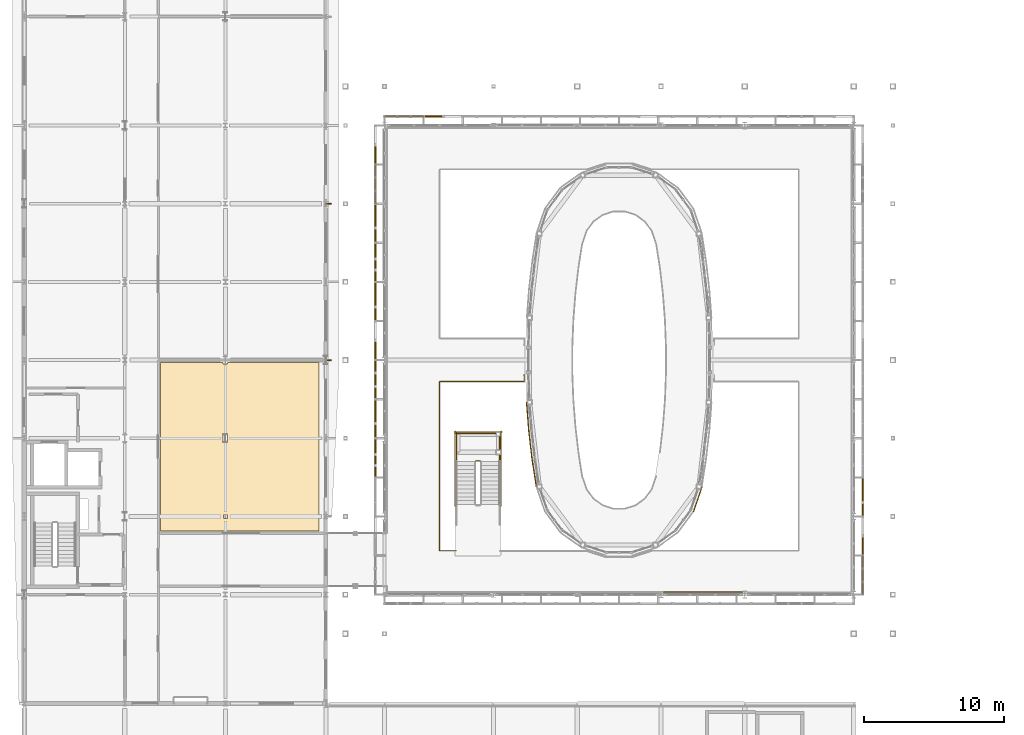
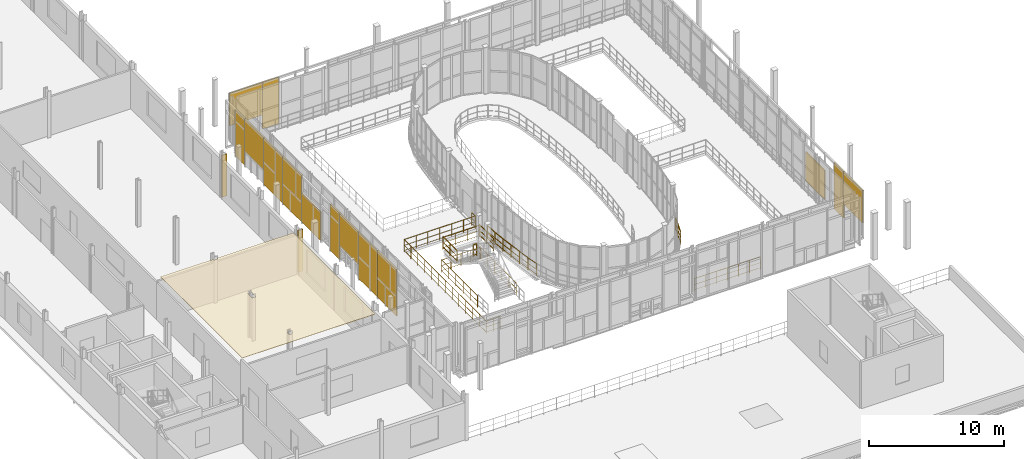
# One storey, part 131 of 138: 16 shading devices, 13 railings, 1 covering.
"""IFC4 building model written with IfcOpenShell, lengths in metres."""

from ifc_helpers import new_model, si_unit, direction, frame, origin, origin_2d, place, context, subcontext, project, spatial, polyline, rectangle, circle, outline, extrude, material, layer, layer_set, type_object, element, save


model = new_model("IFC4")

# Units and contexts
model_context = context("Model", 3, precision=1e-05, world=origin(), true_north=direction((0.0, 1.0)))
body_context = subcontext(model_context, "Body", "Model", "MODEL_VIEW")
ifc_project = project(units=[si_unit("LENGTHUNIT", "METRE"), si_unit("AREAUNIT", "SQUARE_METRE"), si_unit("VOLUMEUNIT", "CUBIC_METRE"), si_unit("PLANEANGLEUNIT", "RADIAN"), si_unit("MASSUNIT", "GRAM", prefix="KILO")], contexts=[model_context])

# Site, building, storey
site_placement = place(None, origin())
site = spatial("IfcSite", under=ifc_project, at=site_placement, CompositionType="ELEMENT")
building_placement = place(site_placement, origin())
building = spatial("IfcBuilding", under=site, at=building_placement, Name="Vinh Khe Railworks Police Headquarters", CompositionType="ELEMENT")
storey_placement = place(building_placement, frame((0.0, 0.0, 9.0)))
storey = spatial("IfcBuildingStorey", under=building, at=storey_placement, Name="L02", CompositionType="ELEMENT", Elevation=9.0)

# Covering
ifc_material_1 = material(Name="Mineral fibre acoustic ceiling tile")
ifc_layer = layer(ifc_material_1, 0.034912109375)
ifc_layer_set = layer_set([ifc_layer], Name="Mineral fibre acoustic ceiling tile")
covering_type = type_object("IfcCoveringType", Name="COV-CEIL-ACOUSTIC", PredefinedType="CEILING", material=ifc_layer_set)
covering_placement = place(storey_placement, frame((0.0, 0.0, 3.89501953125)))
element("IfcCovering", 1, at=covering_placement, inside=storey, type_object=covering_type, Name="Acoustic Ceiling Crisis Press Briefing Room", PredefinedType="CEILING", context=body_context, shape_type="SweptSolid", body=[
    extrude(outline(polyline([(21.68994140625, 29.760009765625), (21.68994140625, 41.840087890625), (15.155029296875, 41.840087890625), (15.155029296875, 41.719970703125), (14.844970703125, 41.719970703125), (14.844970703125, 41.840087890625), (10.360107421875, 41.840087890625), (10.360107421875, 29.760009765625), (21.68994140625, 29.760009765625)]), holes=[polyline([(15.138916015625, 30.64990234375), (14.861083984375, 30.64990234375), (14.861083984375, 30.949951171875), (15.138916015625, 30.949951171875), (15.138916015625, 30.64990234375)]), polyline([(15.155029296875, 36.094970703125), (14.844970703125, 36.094970703125), (14.844970703125, 36.705078125), (15.155029296875, 36.705078125), (15.155029296875, 36.094970703125)])]), origin(), (0.0, 0.0, 1.0), 0.034912109375),
])

# Railings
ifc_material_2 = material(Name="Dark steel and laminated safety glass", Category="steel")
railing_type_1 = type_object("IfcRailingType", Name="RL-ATRIUM-1150", PredefinedType="BALUSTRADE", material=ifc_material_2)
railing_1_placement = place(storey_placement, frame((33.25, 34.780029296875, 2.10009765625)))
element("IfcRailing", 2, at=railing_1_placement, inside=storey, type_object=railing_type_1, Name="L02 ST-08 stair guard 2", PredefinedType="BALUSTRADE", context=body_context, shape_type="SweptSolid", body=[
    extrude(circle(Radius=0.02392578125, at=origin_2d()), frame((0.0, 0.0, 1.076171875), z_axis=(-1.0, 0.0, 0.0), x_axis=(0.0, -1.0, 0.0)), (0.0, 0.0, 1.0), 0.300048828125),
    extrude(circle(Radius=0.01416015625, at=origin_2d()), frame((0.0, 0.0, 0.132080078125), z_axis=(-1.0, 0.0, 0.0), x_axis=(0.0, -1.0, 0.0)), (0.0, 0.0, 1.0), 0.300048828125),
    extrude(circle(Radius=0.01416015625, at=origin_2d()), frame((0.0, 0.0, 0.572021484375), z_axis=(-1.0, 0.0, 0.0), x_axis=(0.0, -1.0, 0.0)), (0.0, 0.0, 1.0), 0.300048828125),
    extrude(circle(Radius=0.02099609375, at=origin_2d()), origin(), (0.0, 0.0, 1.0), 1.052001953125),
    extrude(circle(Radius=0.02099609375, at=origin_2d()), frame((-0.300048828125, 0.0, 0.0)), (0.0, 0.0, 1.0), 1.052001953125),
])
for number, where, name in (
    (3, (34.64990234375, 34.72998046875, 2.10009765625), "L02 ST-08 stair guard 3"),
    (4, (31.550048828125, 34.72998046875, 2.10009765625), "L02 ST-08 stair guard 4"),
):
    element("IfcRailing", number, at=place(storey_placement, frame(where)), inside=storey, type_object=railing_type_1, Name=name, PredefinedType="BALUSTRADE", context=body_context, shape_type="SweptSolid", body=[
        extrude(circle(Radius=0.02392578125, at=origin_2d()), frame((0.0, 0.0, 1.076171875), z_axis=(0.0, 1.0, 0.0), x_axis=(-1.0, 0.0, 0.0)), (0.0, 0.0, 1.0), 2.070068359375),
        extrude(circle(Radius=0.01416015625, at=origin_2d()), frame((0.0, 0.0, 0.132080078125), z_axis=(0.0, 1.0, 0.0), x_axis=(-1.0, 0.0, 0.0)), (0.0, 0.0, 1.0), 2.070068359375),
        extrude(circle(Radius=0.01416015625, at=origin_2d()), frame((0.0, 0.0, 0.572021484375), z_axis=(0.0, 1.0, 0.0), x_axis=(-1.0, 0.0, 0.0)), (0.0, 0.0, 1.0), 2.070068359375),
        extrude(circle(Radius=0.02099609375, at=origin_2d()), origin(), (0.0, 0.0, 1.0), 1.052001953125),
        extrude(circle(Radius=0.02099609375, at=origin_2d()), frame((0.0, 1.03515625, 0.0)), (0.0, 0.0, 1.0), 1.052001953125),
        extrude(circle(Radius=0.02099609375, at=origin_2d()), frame((0.0, 2.070068359375, 0.0)), (0.0, 0.0, 1.0), 1.052001953125),
    ])
railing_2_placement = place(storey_placement, frame((34.699951171875, 36.75, 2.10009765625)))
element("IfcRailing", 5, at=railing_2_placement, inside=storey, type_object=railing_type_1, Name="L02 ST-08 stair guard 5", PredefinedType="BALUSTRADE", context=body_context, shape_type="SweptSolid", body=[
    extrude(circle(Radius=0.02392578125, at=origin_2d()), frame((0.0, 0.0, 1.076171875), z_axis=(-1.0, 0.0, 0.0), x_axis=(0.0, -1.0, 0.0)), (0.0, 0.0, 1.0), 3.199951171875),
    extrude(circle(Radius=0.01416015625, at=origin_2d()), frame((0.0, 0.0, 0.132080078125), z_axis=(-1.0, 0.0, 0.0), x_axis=(0.0, -1.0, 0.0)), (0.0, 0.0, 1.0), 3.199951171875),
    extrude(circle(Radius=0.01416015625, at=origin_2d()), frame((0.0, 0.0, 0.572021484375), z_axis=(-1.0, 0.0, 0.0), x_axis=(0.0, -1.0, 0.0)), (0.0, 0.0, 1.0), 3.199951171875),
    extrude(circle(Radius=0.02099609375, at=origin_2d()), origin(), (0.0, 0.0, 1.0), 1.052001953125),
    extrude(circle(Radius=0.02099609375, at=origin_2d()), frame((-1.066650390625, 0.0, 0.0)), (0.0, 0.0, 1.0), 1.052001953125),
    extrude(circle(Radius=0.02099609375, at=origin_2d()), frame((-2.13330078125, 0.0, 0.0)), (0.0, 0.0, 1.0), 1.052001953125),
    extrude(circle(Radius=0.02099609375, at=origin_2d()), frame((-3.199951171875, 0.0, 0.0)), (0.0, 0.0, 1.0), 1.052001953125),
])
for number, where, name in (
    (6, (34.75, 31.550048828125, 0.0), "L02 ST-08 stair guard 10"),
    (7, (31.449951171875, 31.550048828125, 0.0), "L02 ST-08 stair guard 11"),
):
    element("IfcRailing", number, at=place(storey_placement, frame(where)), inside=storey, type_object=railing_type_1, Name=name, PredefinedType="BALUSTRADE", context=body_context, shape_type="SweptSolid", body=[
        extrude(circle(Radius=0.02392578125, at=origin_2d()), frame((0.0, 0.0, 1.076171875), z_axis=(0.0, 1.0, 0.0), x_axis=(-1.0, 0.0, 0.0)), (0.0, 0.0, 1.0), 5.349853515625),
        extrude(circle(Radius=0.01416015625, at=origin_2d()), frame((0.0, 0.0, 0.132080078125), z_axis=(0.0, 1.0, 0.0), x_axis=(-1.0, 0.0, 0.0)), (0.0, 0.0, 1.0), 5.349853515625),
        extrude(circle(Radius=0.01416015625, at=origin_2d()), frame((0.0, 0.0, 0.572021484375), z_axis=(0.0, 1.0, 0.0), x_axis=(-1.0, 0.0, 0.0)), (0.0, 0.0, 1.0), 5.349853515625),
        extrude(circle(Radius=0.02099609375, at=origin_2d()), origin(), (0.0, 0.0, 1.0), 1.052001953125),
        extrude(circle(Radius=0.02099609375, at=origin_2d()), frame((0.0, 1.070068359375, 0.0)), (0.0, 0.0, 1.0), 1.052001953125),
        extrude(circle(Radius=0.02099609375, at=origin_2d()), frame((0.0, 2.139892578125, 0.0)), (0.0, 0.0, 1.0), 1.052001953125),
        extrude(circle(Radius=0.02099609375, at=origin_2d()), frame((0.0, 3.2099609375, 0.0)), (0.0, 0.0, 1.0), 1.052001953125),
        extrude(circle(Radius=0.02099609375, at=origin_2d()), frame((0.0, 4.27978515625, 0.0)), (0.0, 0.0, 1.0), 1.052001953125),
        extrude(circle(Radius=0.02099609375, at=origin_2d()), frame((0.0, 5.349853515625, 0.0)), (0.0, 0.0, 1.0), 1.052001953125),
    ])
railing_3_placement = place(storey_placement, frame((34.800048828125, 36.85009765625, 0.0)))
element("IfcRailing", 8, at=railing_3_placement, inside=storey, type_object=railing_type_1, Name="L02 ST-08 stair guard 12", PredefinedType="BALUSTRADE", context=body_context, shape_type="SweptSolid", body=[
    extrude(circle(Radius=0.02392578125, at=origin_2d()), frame((0.0, 0.0, 1.076171875), z_axis=(-1.0, 0.0, 0.0), x_axis=(0.0, -1.0, 0.0)), (0.0, 0.0, 1.0), 3.400146484375),
    extrude(circle(Radius=0.01416015625, at=origin_2d()), frame((0.0, 0.0, 0.132080078125), z_axis=(-1.0, 0.0, 0.0), x_axis=(0.0, -1.0, 0.0)), (0.0, 0.0, 1.0), 3.400146484375),
    extrude(circle(Radius=0.01416015625, at=origin_2d()), frame((0.0, 0.0, 0.572021484375), z_axis=(-1.0, 0.0, 0.0), x_axis=(0.0, -1.0, 0.0)), (0.0, 0.0, 1.0), 3.400146484375),
    extrude(circle(Radius=0.02099609375, at=origin_2d()), origin(), (0.0, 0.0, 1.0), 1.052001953125),
    extrude(circle(Radius=0.02099609375, at=origin_2d()), frame((-0.85009765625, 0.0, 0.0)), (0.0, 0.0, 1.0), 1.052001953125),
    extrude(circle(Radius=0.02099609375, at=origin_2d()), frame((-1.7001953125, 0.0, 0.0)), (0.0, 0.0, 1.0), 1.052001953125),
    extrude(circle(Radius=0.02099609375, at=origin_2d()), frame((-2.550048828125, 0.0, 0.0)), (0.0, 0.0, 1.0), 1.052001953125),
    extrude(circle(Radius=0.02099609375, at=origin_2d()), frame((-3.400146484375, 0.0, 0.0)), (0.0, 0.0, 1.0), 1.052001953125),
])
railing_4_placement = place(storey_placement, frame((31.52001953125, 28.340087890625, 0.0)))
element("IfcRailing", 9, at=railing_4_placement, inside=storey, type_object=railing_type_1, Name="Atrium Balustrade GR-V1HOLE-L02-1-02", PredefinedType="BALUSTRADE", context=body_context, shape_type="SweptSolid", body=[
    extrude(circle(Radius=0.02392578125, at=origin_2d()), frame((0.0, 0.0, 1.1259765625), z_axis=(-1.0, 0.0, 0.0), x_axis=(0.0, -1.0, 0.0)), (0.0, 0.0, 1.0), 1.179931640625),
    extrude(circle(Radius=0.01416015625, at=origin_2d()), frame((0.0, 0.0, 0.137939453125), z_axis=(-1.0, 0.0, 0.0), x_axis=(0.0, -1.0, 0.0)), (0.0, 0.0, 1.0), 1.179931640625),
    extrude(circle(Radius=0.01416015625, at=origin_2d()), frame((0.0, 0.0, 0.597900390625), z_axis=(-1.0, 0.0, 0.0), x_axis=(0.0, -1.0, 0.0)), (0.0, 0.0, 1.0), 1.179931640625),
    extrude(circle(Radius=0.02392578125, at=origin_2d()), frame((-1.179931640625, 0.0, 1.1259765625), z_axis=(0.0, 1.0, 0.0), x_axis=(-1.0, 0.0, 0.0)), (0.0, 0.0, 1.0), 12.119873046875),
    extrude(circle(Radius=0.01416015625, at=origin_2d()), frame((-1.179931640625, 0.0, 0.137939453125), z_axis=(0.0, 1.0, 0.0), x_axis=(-1.0, 0.0, 0.0)), (0.0, 0.0, 1.0), 12.119873046875),
    extrude(circle(Radius=0.01416015625, at=origin_2d()), frame((-1.179931640625, 0.0, 0.597900390625), z_axis=(0.0, 1.0, 0.0), x_axis=(-1.0, 0.0, 0.0)), (0.0, 0.0, 1.0), 12.119873046875),
    extrude(circle(Radius=0.02392578125, at=origin_2d()), frame((-1.179931640625, 12.119873046875, 1.1259765625), z_axis=(1.0, 0.0, 0.0), x_axis=(0.0, 1.0, 0.0)), (0.0, 0.0, 1.0), 6.06982421875),
    extrude(circle(Radius=0.01416015625, at=origin_2d()), frame((-1.179931640625, 12.119873046875, 0.137939453125), z_axis=(1.0, 0.0, 0.0), x_axis=(0.0, 1.0, 0.0)), (0.0, 0.0, 1.0), 6.06982421875),
    extrude(circle(Radius=0.01416015625, at=origin_2d()), frame((-1.179931640625, 12.119873046875, 0.597900390625), z_axis=(1.0, 0.0, 0.0), x_axis=(0.0, 1.0, 0.0)), (0.0, 0.0, 1.0), 6.06982421875),
    extrude(circle(Radius=0.02392578125, at=origin_2d()), frame((4.889892578125, 12.119873046875, 1.1259765625), z_axis=(-0.038337515315, 0.999264847235, 0.0), x_axis=(-0.999264847235, -0.038337515315, 0.0)), (0.0, 0.0, 1.0), 0.490234375),
    extrude(circle(Radius=0.01416015625, at=origin_2d()), frame((4.889892578125, 12.119873046875, 0.137939453125), z_axis=(-0.038337515315, 0.999264847235, 0.0), x_axis=(-0.999264847235, -0.038337515315, 0.0)), (0.0, 0.0, 1.0), 0.490234375),
    extrude(circle(Radius=0.01416015625, at=origin_2d()), frame((4.889892578125, 12.119873046875, 0.597900390625), z_axis=(-0.038337515315, 0.999264847235, 0.0), x_axis=(-0.999264847235, -0.038337515315, 0.0)), (0.0, 0.0, 1.0), 0.490234375),
    extrude(circle(Radius=0.02099609375, at=origin_2d()), origin(), (0.0, 0.0, 1.0), 1.101806640625),
    extrude(circle(Radius=0.02099609375, at=origin_2d()), frame((-0.58984375, 0.0, 0.0)), (0.0, 0.0, 1.0), 1.101806640625),
    extrude(circle(Radius=0.02099609375, at=origin_2d()), frame((-1.179931640625, 0.0, 0.0)), (0.0, 0.0, 1.0), 1.101806640625),
    extrude(circle(Radius=0.02099609375, at=origin_2d()), frame((-1.179931640625, 1.010009765625, 0.0)), (0.0, 0.0, 1.0), 1.101806640625),
    extrude(circle(Radius=0.02099609375, at=origin_2d()), frame((-1.179931640625, 2.02001953125, 0.0)), (0.0, 0.0, 1.0), 1.101806640625),
    extrude(circle(Radius=0.02099609375, at=origin_2d()), frame((-1.179931640625, 3.030029296875, 0.0)), (0.0, 0.0, 1.0), 1.101806640625),
    extrude(circle(Radius=0.02099609375, at=origin_2d()), frame((-1.179931640625, 4.0400390625, 0.0)), (0.0, 0.0, 1.0), 1.101806640625),
    extrude(circle(Radius=0.02099609375, at=origin_2d()), frame((-1.179931640625, 5.050048828125, 0.0)), (0.0, 0.0, 1.0), 1.101806640625),
    extrude(circle(Radius=0.02099609375, at=origin_2d()), frame((-1.179931640625, 6.06005859375, 0.0)), (0.0, 0.0, 1.0), 1.101806640625),
    extrude(circle(Radius=0.02099609375, at=origin_2d()), frame((-1.179931640625, 7.06982421875, 0.0)), (0.0, 0.0, 1.0), 1.101806640625),
    extrude(circle(Radius=0.02099609375, at=origin_2d()), frame((-1.179931640625, 8.079833984375, 0.0)), (0.0, 0.0, 1.0), 1.101806640625),
    extrude(circle(Radius=0.02099609375, at=origin_2d()), frame((-1.179931640625, 9.08984375, 0.0)), (0.0, 0.0, 1.0), 1.101806640625),
    extrude(circle(Radius=0.02099609375, at=origin_2d()), frame((-1.179931640625, 10.099853515625, 0.0)), (0.0, 0.0, 1.0), 1.101806640625),
    extrude(circle(Radius=0.02099609375, at=origin_2d()), frame((-1.179931640625, 11.10986328125, 0.0)), (0.0, 0.0, 1.0), 1.101806640625),
    extrude(circle(Radius=0.02099609375, at=origin_2d()), frame((-1.179931640625, 12.119873046875, 0.0)), (0.0, 0.0, 1.0), 1.101806640625),
    extrude(circle(Radius=0.02099609375, at=origin_2d()), frame((-0.168212890625, 12.119873046875, 0.0)), (0.0, 0.0, 1.0), 1.101806640625),
    extrude(circle(Radius=0.02099609375, at=origin_2d()), frame((0.84326171875, 12.119873046875, 0.0)), (0.0, 0.0, 1.0), 1.101806640625),
    extrude(circle(Radius=0.02099609375, at=origin_2d()), frame((1.85498046875, 12.119873046875, 0.0)), (0.0, 0.0, 1.0), 1.101806640625),
    extrude(circle(Radius=0.02099609375, at=origin_2d()), frame((2.86669921875, 12.119873046875, 0.0)), (0.0, 0.0, 1.0), 1.101806640625),
    extrude(circle(Radius=0.02099609375, at=origin_2d()), frame((3.878173828125, 12.119873046875, 0.0)), (0.0, 0.0, 1.0), 1.101806640625),
    extrude(circle(Radius=0.02099609375, at=origin_2d()), frame((4.889892578125, 12.119873046875, 0.0)), (0.0, 0.0, 1.0), 1.101806640625),
    extrude(circle(Radius=0.02099609375, at=origin_2d()), frame((4.87109375, 12.60986328125, 0.0)), (0.0, 0.0, 1.0), 1.101806640625),
])
railing_5_placement = place(storey_placement, frame((46.375, 25.3798828125, 0.0)))
element("IfcRailing", 10, at=railing_5_placement, inside=storey, type_object=railing_type_1, Name="Atrium Balustrade GR-V1PERIM-L02-03", PredefinedType="BALUSTRADE", context=body_context, shape_type="SweptSolid", body=[
    extrude(circle(Radius=0.02392578125, at=origin_2d()), frame((0.0, 0.0, 1.1259765625), z_axis=(1.0, 0.0, 0.0), x_axis=(0.0, 1.0, 0.0)), (0.0, 0.0, 1.0), 5.64990234375),
    extrude(circle(Radius=0.01416015625, at=origin_2d()), frame((0.0, 0.0, 0.137939453125), z_axis=(1.0, 0.0, 0.0), x_axis=(0.0, 1.0, 0.0)), (0.0, 0.0, 1.0), 5.64990234375),
    extrude(circle(Radius=0.01416015625, at=origin_2d()), frame((0.0, 0.0, 0.597900390625), z_axis=(1.0, 0.0, 0.0), x_axis=(0.0, 1.0, 0.0)), (0.0, 0.0, 1.0), 5.64990234375),
    extrude(circle(Radius=0.02099609375, at=origin_2d()), origin(), (0.0, 0.0, 1.0), 1.101806640625),
    extrude(circle(Radius=0.02099609375, at=origin_2d()), frame((0.941650390625, 0.0, 0.0)), (0.0, 0.0, 1.0), 1.101806640625),
    extrude(circle(Radius=0.02099609375, at=origin_2d()), frame((1.88330078125, 0.0, 0.0)), (0.0, 0.0, 1.0), 1.101806640625),
    extrude(circle(Radius=0.02099609375, at=origin_2d()), frame((2.824951171875, 0.0, 0.0)), (0.0, 0.0, 1.0), 1.101806640625),
    extrude(circle(Radius=0.02099609375, at=origin_2d()), frame((3.7666015625, 0.0, 0.0)), (0.0, 0.0, 1.0), 1.101806640625),
    extrude(circle(Radius=0.02099609375, at=origin_2d()), frame((4.708251953125, 0.0, 0.0)), (0.0, 0.0, 1.0), 1.101806640625),
    extrude(circle(Radius=0.02099609375, at=origin_2d()), frame((5.64990234375, 0.0, 0.0)), (0.0, 0.0, 1.0), 1.101806640625),
])
ifc_material_3 = material(Name="Painted tubular steel", Category="steel")
railing_type_2 = type_object("IfcRailingType", Name="RL-GUARD-1100", PredefinedType="GUARDRAIL", material=ifc_material_3)
railing_6_placement = place(storey_placement, frame((36.568115234375, 38.955078125, 0.0)))
element("IfcRailing", 11, at=railing_6_placement, inside=storey, type_object=railing_type_2, Name="Slab Corner Notch Guard L02-73", PredefinedType="GUARDRAIL", context=body_context, shape_type="SweptSolid", body=[
    extrude(circle(Radius=0.02392578125, at=origin_2d()), frame((0.0, 0.0, 1.09619140625), z_axis=(0.076944728121, -0.997035359862, 0.0), x_axis=(0.997035359862, 0.076944728121, 0.0)), (0.0, 0.0, 1.0), 2.03076171875),
    extrude(circle(Radius=0.01416015625, at=origin_2d()), frame((0.0, 0.0, 0.134521484375), z_axis=(0.076944728121, -0.997035359862, 0.0), x_axis=(0.997035359862, 0.076944728121, 0.0)), (0.0, 0.0, 1.0), 2.03076171875),
    extrude(circle(Radius=0.01416015625, at=origin_2d()), frame((0.0, 0.0, 0.58251953125), z_axis=(0.076944728121, -0.997035359862, 0.0), x_axis=(0.997035359862, 0.076944728121, 0.0)), (0.0, 0.0, 1.0), 2.03076171875),
    extrude(circle(Radius=0.02099609375, at=origin_2d()), origin(), (0.0, 0.0, 1.0), 1.072021484375),
    extrude(circle(Radius=0.02099609375, at=origin_2d()), frame((0.078125, -1.01220703125, 0.0)), (0.0, 0.0, 1.0), 1.072021484375),
    extrude(circle(Radius=0.02099609375, at=origin_2d()), frame((0.15625, -2.024658203125, 0.0)), (0.0, 0.0, 1.0), 1.072021484375),
])
railing_7_placement = place(storey_placement, frame((36.724365234375, 36.930419921875, 0.0)))
element("IfcRailing", 12, at=railing_7_placement, inside=storey, type_object=railing_type_2, Name="Slab Corner Notch Guard L02-74", PredefinedType="GUARDRAIL", context=body_context, shape_type="SweptSolid", body=[
    extrude(circle(Radius=0.02392578125, at=origin_2d()), frame((0.0, 0.0, 1.09619140625), z_axis=(0.115285701027, -0.993332374958, 0.0), x_axis=(0.993332374958, 0.115285701027, 0.0)), (0.0, 0.0, 1.0), 2.03076171875),
    extrude(circle(Radius=0.01416015625, at=origin_2d()), frame((0.0, 0.0, 0.134521484375), z_axis=(0.115285701027, -0.993332374958, 0.0), x_axis=(0.993332374958, 0.115285701027, 0.0)), (0.0, 0.0, 1.0), 2.03076171875),
    extrude(circle(Radius=0.01416015625, at=origin_2d()), frame((0.0, 0.0, 0.58251953125), z_axis=(0.115285701027, -0.993332374958, 0.0), x_axis=(0.993332374958, 0.115285701027, 0.0)), (0.0, 0.0, 1.0), 2.03076171875),
    extrude(circle(Radius=0.02099609375, at=origin_2d()), origin(), (0.0, 0.0, 1.0), 1.072021484375),
    extrude(circle(Radius=0.02099609375, at=origin_2d()), frame((0.1171875, -1.0087890625, 0.0)), (0.0, 0.0, 1.0), 1.072021484375),
    extrude(circle(Radius=0.02099609375, at=origin_2d()), frame((0.234130859375, -2.017333984375, 0.0)), (0.0, 0.0, 1.0), 1.072021484375),
])
railing_8_placement = place(storey_placement, frame((36.95849609375, 34.9130859375, 0.0)))
element("IfcRailing", 13, at=railing_8_placement, inside=storey, type_object=railing_type_2, Name="Slab Corner Notch Guard L02-75", PredefinedType="GUARDRAIL", context=body_context, shape_type="SweptSolid", body=[
    extrude(circle(Radius=0.02392578125, at=origin_2d()), frame((0.0, 0.0, 1.09619140625), z_axis=(0.153455860094, -0.988155503452, 0.0), x_axis=(0.988155503452, 0.153455860094, 0.0)), (0.0, 0.0, 1.0), 2.0458984375),
    extrude(circle(Radius=0.01416015625, at=origin_2d()), frame((0.0, 0.0, 0.134521484375), z_axis=(0.153455860094, -0.988155503452, 0.0), x_axis=(0.988155503452, 0.153455860094, 0.0)), (0.0, 0.0, 1.0), 2.0458984375),
    extrude(circle(Radius=0.01416015625, at=origin_2d()), frame((0.0, 0.0, 0.58251953125), z_axis=(0.153455860094, -0.988155503452, 0.0), x_axis=(0.988155503452, 0.153455860094, 0.0)), (0.0, 0.0, 1.0), 2.0458984375),
    extrude(circle(Radius=0.02099609375, at=origin_2d()), origin(), (0.0, 0.0, 1.0), 1.072021484375),
    extrude(circle(Radius=0.02099609375, at=origin_2d()), frame((0.156982421875, -1.0107421875, 0.0)), (0.0, 0.0, 1.0), 1.072021484375),
    extrude(circle(Radius=0.02099609375, at=origin_2d()), frame((0.31396484375, -2.021728515625, 0.0)), (0.0, 0.0, 1.0), 1.072021484375),
])
railing_9_placement = place(storey_placement, frame((48.53125, 31.142578125, 0.0)))
element("IfcRailing", 14, at=railing_9_placement, inside=storey, type_object=railing_type_2, Name="Slab Corner Notch Guard L02-83", PredefinedType="GUARDRAIL", context=body_context, shape_type="SweptSolid", body=[
    extrude(circle(Radius=0.02392578125, at=origin_2d()), frame((0.0, 0.0, 1.09619140625), z_axis=(0.322681999165, 0.946507436534, 0.0), x_axis=(-0.946507436534, 0.322681999165, 0.0)), (0.0, 0.0, 1.0), 1.84765625),
    extrude(circle(Radius=0.01416015625, at=origin_2d()), frame((0.0, 0.0, 0.134521484375), z_axis=(0.322681999165, 0.946507436534, 0.0), x_axis=(-0.946507436534, 0.322681999165, 0.0)), (0.0, 0.0, 1.0), 1.84765625),
    extrude(circle(Radius=0.01416015625, at=origin_2d()), frame((0.0, 0.0, 0.58251953125), z_axis=(0.322681999165, 0.946507436534, 0.0), x_axis=(-0.946507436534, 0.322681999165, 0.0)), (0.0, 0.0, 1.0), 1.84765625),
    extrude(circle(Radius=0.02099609375, at=origin_2d()), origin(), (0.0, 0.0, 1.0), 1.072021484375),
    extrude(circle(Radius=0.02099609375, at=origin_2d()), frame((0.298095703125, 0.87451171875, 0.0)), (0.0, 0.0, 1.0), 1.072021484375),
    extrude(circle(Radius=0.02099609375, at=origin_2d()), frame((0.59619140625, 1.748779296875, 0.0)), (0.0, 0.0, 1.0), 1.072021484375),
])

# Shading devices
ifc_material_4 = material(Name="Salvaged ironwood timber", Category="wood")
shading_device_type_1 = type_object("IfcShadingDeviceType", Name="SHD-MSF-01", PredefinedType="JALOUSIE", material=ifc_material_4)
for number, where, z_axis, x_axis, name in (
    (15, (22.360107421875, 42.0, 0.10009765625), (0.0, 0.0, 1.0), (1.0, 0.0, 0.0), "Monsoon Court Solar Fin V5 L02-2"),
    (16, (22.360107421875, 53.199951171875, 0.10009765625), (0.0, 0.0, 1.0), (1.0, 0.0, 0.0), "Monsoon Court Solar Fin V5 L02-3"),
):
    element("IfcShadingDevice", number, at=place(storey_placement, frame(where, z_axis=z_axis, x_axis=x_axis)), inside=storey, type_object=shading_device_type_1, Name=name, PredefinedType="JALOUSIE", context=body_context, shape_type="SweptSolid", body=[
        extrude(rectangle(XDim=0.419921875, YDim=0.080078125, at=origin_2d()), origin(), (0.0, 0.0, 1.0), 3.780029296875),
    ])
shading_device_type_2 = type_object("IfcShadingDeviceType", Name="SHD-QS-01", PredefinedType="JALOUSIE", material=ifc_material_4)
for number, where, z_axis, x_axis, name in (
    (17, (27.800048828125, 59.449951171875, 1.260009765625), (0.0, 0.0, 1.0), (1.0, 0.0, 0.0), "Salvaged Ironwood Upper Quilt Frame N-1"),
    (18, (60.64990234375, 26.60009765625, 1.260009765625), (0.0, 0.0, 1.0), (0.0, 1.0, 0.0), "Salvaged Ironwood Upper Quilt Frame E-1"),
):
    element("IfcShadingDevice", number, at=place(storey_placement, frame(where, z_axis=z_axis, x_axis=x_axis)), inside=storey, type_object=shading_device_type_2, Name=name, PredefinedType="JALOUSIE", context=body_context, shape_type="SweptSolid", body=[
        extrude(rectangle(XDim=2.800048828125, YDim=0.090087890625, at=origin_2d()), origin(), (0.0, 0.0, 1.0), 2.93994140625),
    ])
shading_device_1_placement = place(storey_placement, frame((60.64990234375, 32.199951171875, 0.0), z_axis=(0.0, 0.0, 1.0), x_axis=(0.0, 1.0, 0.0)))
element("IfcShadingDevice", 19, at=shading_device_1_placement, inside=storey, type_object=shading_device_type_2, Name="Salvaged Ironwood Quilt Casement E-3", PredefinedType="JALOUSIE", context=body_context, shape_type="SweptSolid", body=[
    extrude(rectangle(XDim=2.800048828125, YDim=0.090087890625, at=origin_2d()), origin(), (0.0, 0.0, 1.0), 2.60400390625),
])
shading_device_2_placement = place(storey_placement, frame((25.75, 40.60009765625, 1.260009765625), z_axis=(0.0, 0.0, 1.0), x_axis=(0.0, 1.0, 0.0)))
element("IfcShadingDevice", 20, at=shading_device_2_placement, inside=storey, type_object=shading_device_type_2, Name="Salvaged Ironwood Upper Quilt Frame W-6", PredefinedType="JALOUSIE", context=body_context, shape_type="SweptSolid", body=[
    extrude(rectangle(XDim=2.800048828125, YDim=0.090087890625, at=origin_2d()), origin(), (0.0, 0.0, 1.0), 2.93994140625),
])
shading_device_3_placement = place(storey_placement, frame((25.75, 46.199951171875, 0.0), z_axis=(0.0, 0.0, 1.0), x_axis=(0.0, 1.0, 0.0)))
element("IfcShadingDevice", 21, at=shading_device_3_placement, inside=storey, type_object=shading_device_type_2, Name="Salvaged Ironwood Quilt Casement W-8", PredefinedType="JALOUSIE", context=body_context, shape_type="SweptSolid", body=[
    extrude(rectangle(XDim=2.800048828125, YDim=0.090087890625, at=origin_2d()), origin(), (0.0, 0.0, 1.0), 2.60400390625),
])
shading_device_4_placement = place(storey_placement, frame((25.75, 54.60009765625, 1.260009765625), z_axis=(0.0, 0.0, 1.0), x_axis=(0.0, 1.0, 0.0)))
element("IfcShadingDevice", 22, at=shading_device_4_placement, inside=storey, type_object=shading_device_type_2, Name="Salvaged Ironwood Upper Quilt Frame W-11", PredefinedType="JALOUSIE", context=body_context, shape_type="SweptSolid", body=[
    extrude(rectangle(XDim=2.800048828125, YDim=0.090087890625, at=origin_2d()), origin(), (0.0, 0.0, 1.0), 2.93994140625),
])
shading_device_type_3 = type_object("IfcShadingDeviceType", Name="SHD-QS-02", PredefinedType="JALOUSIE", material=ifc_material_4)
for number, where, z_axis, x_axis, name in (
    (23, (29.89990234375, 59.449951171875, 0.0), (0.0, 0.0, 1.0), (1.0, 0.0, 0.0), "Ironwood Tall Quilt Casement N-2L"),
    (24, (60.64990234375, 28.699951171875, 0.0), (0.0, 0.0, 1.0), (0.0, 1.0, 0.0), "Ironwood Tall Quilt Casement E-2L"),
    (25, (25.75, 42.699951171875, 0.0), (0.0, 0.0, 1.0), (0.0, 1.0, 0.0), "Ironwood Tall Quilt Casement W-7L"),
    (26, (25.75, 56.699951171875, 0.0), (0.0, 0.0, 1.0), (0.0, 1.0, 0.0), "Ironwood Tall Quilt Casement W-12L"),
):
    element("IfcShadingDevice", number, at=place(storey_placement, frame(where, z_axis=z_axis, x_axis=x_axis)), inside=storey, type_object=shading_device_type_3, Name=name, PredefinedType="JALOUSIE", context=body_context, shape_type="SweptSolid", body=[
        extrude(rectangle(XDim=1.39990234375, YDim=0.090087890625, at=origin_2d()), origin(), (0.0, 0.0, 1.0), 4.199951171875),
    ])
ifc_material_5 = material(Name="Weathered architectural steel", Category="steel")
shading_device_type_4 = type_object("IfcShadingDeviceType", Name="SHD-QS-03", PredefinedType="SHUTTER", material=ifc_material_5)
for number, where, z_axis, x_axis, name in (
    (27, (25.75, 37.800048828125, 0.0), (0.0, 0.0, 1.0), (0.0, 1.0, 0.0), "Dark Steel Patchwork Casement Frame W-5"),
    (28, (25.75, 51.800048828125, 0.0), (0.0, 0.0, 1.0), (0.0, 1.0, 0.0), "Dark Steel Patchwork Casement Frame W-10"),
):
    element("IfcShadingDevice", number, at=place(storey_placement, frame(where, z_axis=z_axis, x_axis=x_axis)), inside=storey, type_object=shading_device_type_4, Name=name, PredefinedType="SHUTTER", context=body_context, shape_type="SweptSolid", body=[
        extrude(rectangle(XDim=2.800048828125, YDim=0.080078125, at=origin_2d()), origin(), (0.0, 0.0, 1.0), 4.199951171875),
    ])
shading_device_type_5 = type_object("IfcShadingDeviceType", Name="SHD-QS-04", PredefinedType="SHUTTER", material=ifc_material_4)
for number, where, z_axis, x_axis, name in (
    (29, (25.75, 35.0, 0.0), (0.0, 0.0, 1.0), (0.0, 1.0, 0.0), "Shuttered Ironwood Casement W-4"),
    (30, (25.75, 49.0, 0.0), (0.0, 0.0, 1.0), (0.0, 1.0, 0.0), "Shuttered Ironwood Casement W-9"),
):
    element("IfcShadingDevice", number, at=place(storey_placement, frame(where, z_axis=z_axis, x_axis=x_axis)), inside=storey, type_object=shading_device_type_5, Name=name, PredefinedType="SHUTTER", context=body_context, shape_type="SweptSolid", body=[
        extrude(rectangle(XDim=2.800048828125, YDim=0.090087890625, at=origin_2d()), origin(), (0.0, 0.0, 1.0), 4.199951171875),
    ])

save(model, "model.ifc")
